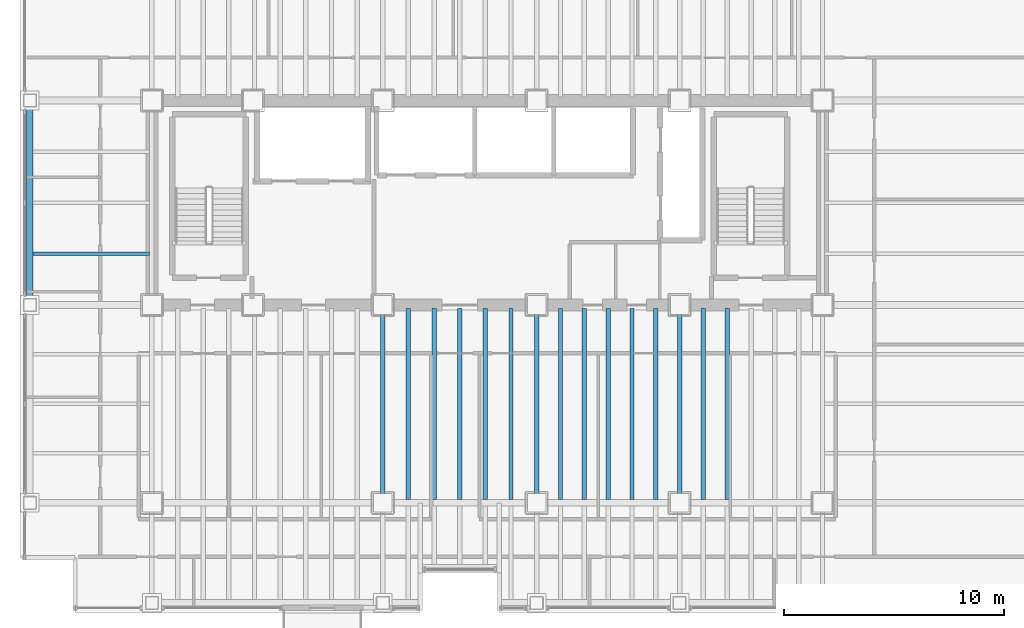
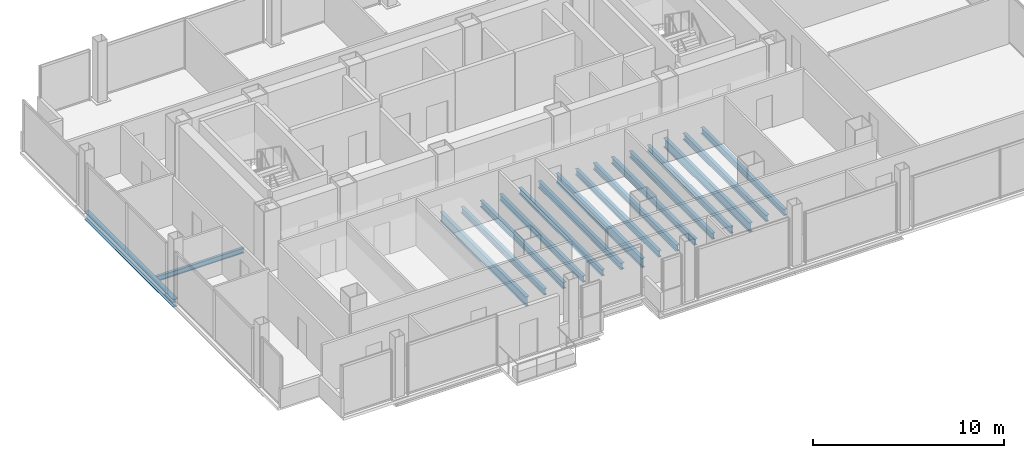
# One storey, part 5 of 20: 17 beams.
"""IFC4 building model written with IfcOpenShell, lengths in metres."""

from ifc_helpers import new_model, si_unit, direction, frame, origin, origin_2d, place, context, subcontext, project, spatial, i_section, extrude, material, material_profile, profile_set, type_object, element, save


model = new_model("IFC4")

# Units and contexts
model_context = context("Model", 3, precision=1e-05, world=origin(), true_north=direction((0.0, 1.0)))
body_context = subcontext(model_context, "Body", "Model", "MODEL_VIEW")
ifc_project = project(units=[si_unit("LENGTHUNIT", "METRE"), si_unit("AREAUNIT", "SQUARE_METRE"), si_unit("VOLUMEUNIT", "CUBIC_METRE"), si_unit("PLANEANGLEUNIT", "RADIAN"), si_unit("MASSUNIT", "GRAM", prefix="KILO")], contexts=[model_context])

# Site, building, storey
site_placement = place(None, origin())
site = spatial("IfcSite", under=ifc_project, at=site_placement, CompositionType="ELEMENT")
building_placement = place(site_placement, origin())
building = spatial("IfcBuilding", under=site, at=building_placement, Name="Noeulbin Bourse Tower", CompositionType="ELEMENT")
storey_placement = place(building_placement, frame((0.0, 0.0, 61.60009765625)))
storey = spatial("IfcBuildingStorey", under=building, at=storey_placement, Name="L15", CompositionType="ELEMENT", Elevation=61.60009765625)

# Beams
ifc_material = material(Name="Steel S355", Category="steel")
ifc_material_profile_1 = material_profile(ifc_material, i_section(OverallWidth=0.199951171875, OverallDepth=0.60009765625, WebThickness=0.010986328125, FlangeThickness=0.01708984375, FilletRadius=0.02197265625, at=origin_2d()), Name="H-600x200x11x17", Category="LoadBearing")
ifc_profile_set_1 = profile_set([ifc_material_profile_1], Name="Steel S355")
beam_type_1 = type_object("IfcBeamType", Name="BM-GRD-600", PredefinedType="USERDEFINED", material=ifc_profile_set_1)
for number, where, z_axis, x_axis, name in (
    (1, (24.0, 20.0, -0.47998046875), (0.0, 1.0, 0.0), (-1.0, 0.0, 0.0), "Tower Primary Girder NS L15-2.2"),
    (2, (31.0, 20.0, -0.47998046875), (0.0, 1.0, 0.0), (-1.0, 0.0, 0.0), "Tower Primary Girder NS L15-3.2"),
    (3, (37.5, 20.0, -0.47998046875), (0.0, 1.0, 0.0), (-1.0, 0.0, 0.0), "Tower Primary Girder NS L15-4.2"),
):
    element("IfcBeam", number, at=place(storey_placement, frame(where, z_axis=z_axis, x_axis=x_axis)), inside=storey, type_object=beam_type_1, Name=name, ObjectType="GIRDER", PredefinedType="USERDEFINED", context=body_context, shape_type="SweptSolid", body=[
        extrude(i_section(OverallWidth=0.199951171875, OverallDepth=0.60009765625, WebThickness=0.010986328125, FlangeThickness=0.01708984375, FilletRadius=0.02197265625, at=origin_2d()), origin(), (0.0, 0.0, 1.0), 9.0),
    ])
ifc_material_profile_2 = material_profile(ifc_material, i_section(OverallWidth=0.159912109375, OverallDepth=0.320068359375, WebThickness=0.006591796875, FlangeThickness=0.010009765625, FilletRadius=0.012939453125, at=origin_2d()), Name="H-320x160x6.5x10", Category="LoadBearing")
ifc_profile_set_2 = profile_set([ifc_material_profile_2], Name="Steel S355")
beam_type_2 = type_object("IfcBeamType", Name="BM-JST-320", PredefinedType="JOIST", material=ifc_profile_set_2)
beam_1_placement = place(storey_placement, frame((8.10009765625, 31.324951171875, -0.340087890625), z_axis=(1.0, 0.0, 0.0), x_axis=(0.0, 1.0, 0.0)))
element("IfcBeam", 4, at=beam_1_placement, inside=storey, type_object=beam_type_2, Name="Wing Composite Joist L15-W73", PredefinedType="JOIST", context=body_context, shape_type="SweptSolid", body=[
    extrude(i_section(OverallWidth=0.159912109375, OverallDepth=0.320068359375, WebThickness=0.006591796875, FlangeThickness=0.010009765625, FilletRadius=0.012939453125, at=origin_2d()), origin(), (0.0, 0.0, 1.0), 5.2998046875),
])
ifc_material_profile_3 = material_profile(ifc_material, i_section(OverallWidth=0.199951171875, OverallDepth=0.39990234375, WebThickness=0.008056640625, FlangeThickness=0.012939453125, FilletRadius=0.01611328125, at=origin_2d()), Name="H-400x200x8x13", Category="LoadBearing")
ifc_profile_set_3 = profile_set([ifc_material_profile_3], Name="Steel S355")
beam_type_3 = type_object("IfcBeamType", Name="BM-SEC-400", PredefinedType="BEAM", material=ifc_profile_set_3)
for number, where, z_axis, x_axis, name in (
    (5, (25.166748046875, 20.14990234375, -0.380126953125), (0.0, 1.0, 0.0), (-1.0, 0.0, 0.0), "Tower Composite Joist L15-26"),
    (6, (26.333251953125, 20.14990234375, -0.380126953125), (0.0, 1.0, 0.0), (-1.0, 0.0, 0.0), "Tower Composite Joist L15-29"),
    (7, (27.5, 20.14990234375, -0.380126953125), (0.0, 1.0, 0.0), (-1.0, 0.0, 0.0), "Tower Composite Joist L15-32"),
    (8, (28.666748046875, 20.14990234375, -0.380126953125), (0.0, 1.0, 0.0), (-1.0, 0.0, 0.0), "Tower Composite Joist L15-35"),
    (9, (29.833251953125, 20.14990234375, -0.380126953125), (0.0, 1.0, 0.0), (-1.0, 0.0, 0.0), "Tower Composite Joist L15-38"),
    (10, (32.083251953125, 20.14990234375, -0.380126953125), (0.0, 1.0, 0.0), (-1.0, 0.0, 0.0), "Tower Composite Joist L15-41"),
    (11, (33.166748046875, 20.14990234375, -0.380126953125), (0.0, 1.0, 0.0), (-1.0, 0.0, 0.0), "Tower Composite Joist L15-44"),
    (12, (34.25, 20.14990234375, -0.380126953125), (0.0, 1.0, 0.0), (-1.0, 0.0, 0.0), "Tower Composite Joist L15-47"),
    (13, (35.333251953125, 20.14990234375, -0.380126953125), (0.0, 1.0, 0.0), (-1.0, 0.0, 0.0), "Tower Composite Joist L15-50"),
    (14, (36.416748046875, 20.14990234375, -0.380126953125), (0.0, 1.0, 0.0), (-1.0, 0.0, 0.0), "Tower Composite Joist L15-53"),
    (15, (38.583251953125, 20.14990234375, -0.380126953125), (0.0, 1.0, 0.0), (-1.0, 0.0, 0.0), "Tower Composite Joist L15-56"),
    (16, (39.666748046875, 20.14990234375, -0.380126953125), (0.0, 1.0, 0.0), (-1.0, 0.0, 0.0), "Tower Composite Joist L15-59"),
):
    element("IfcBeam", number, at=place(storey_placement, frame(where, z_axis=z_axis, x_axis=x_axis)), inside=storey, type_object=beam_type_3, Name=name, PredefinedType="BEAM", context=body_context, shape_type="SweptSolid", body=[
        extrude(i_section(OverallWidth=0.199951171875, OverallDepth=0.39990234375, WebThickness=0.008056640625, FlangeThickness=0.012939453125, FilletRadius=0.01611328125, at=origin_2d()), origin(), (0.0, 0.0, 1.0), 8.7001953125),
    ])
ifc_material_profile_4 = material_profile(ifc_material, i_section(OverallWidth=0.300048828125, OverallDepth=0.488037109375, WebThickness=0.010986328125, FlangeThickness=0.01806640625, FilletRadius=0.02197265625, at=origin_2d()), Name="H-488x300x11x18", Category="LoadBearing")
ifc_profile_set_4 = profile_set([ifc_material_profile_4], Name="Steel S355")
beam_type_4 = type_object("IfcBeamType", Name="BM-SPN-488", PredefinedType="SPANDREL", material=ifc_profile_set_4)
beam_2_placement = place(storey_placement, frame((7.949951171875, 29.0, -0.424072265625), z_axis=(0.0, 1.0, 0.0), x_axis=(-1.0, 0.0, 0.0)))
element("IfcBeam", 17, at=beam_2_placement, inside=storey, type_object=beam_type_4, Name="West Spandrel L15-2", PredefinedType="SPANDREL", context=body_context, shape_type="SweptSolid", body=[
    extrude(i_section(OverallWidth=0.300048828125, OverallDepth=0.488037109375, WebThickness=0.010986328125, FlangeThickness=0.01806640625, FilletRadius=0.02197265625, at=origin_2d()), origin(), (0.0, 0.0, 1.0), 9.300048828125),
])

save(model, "model.ifc")
